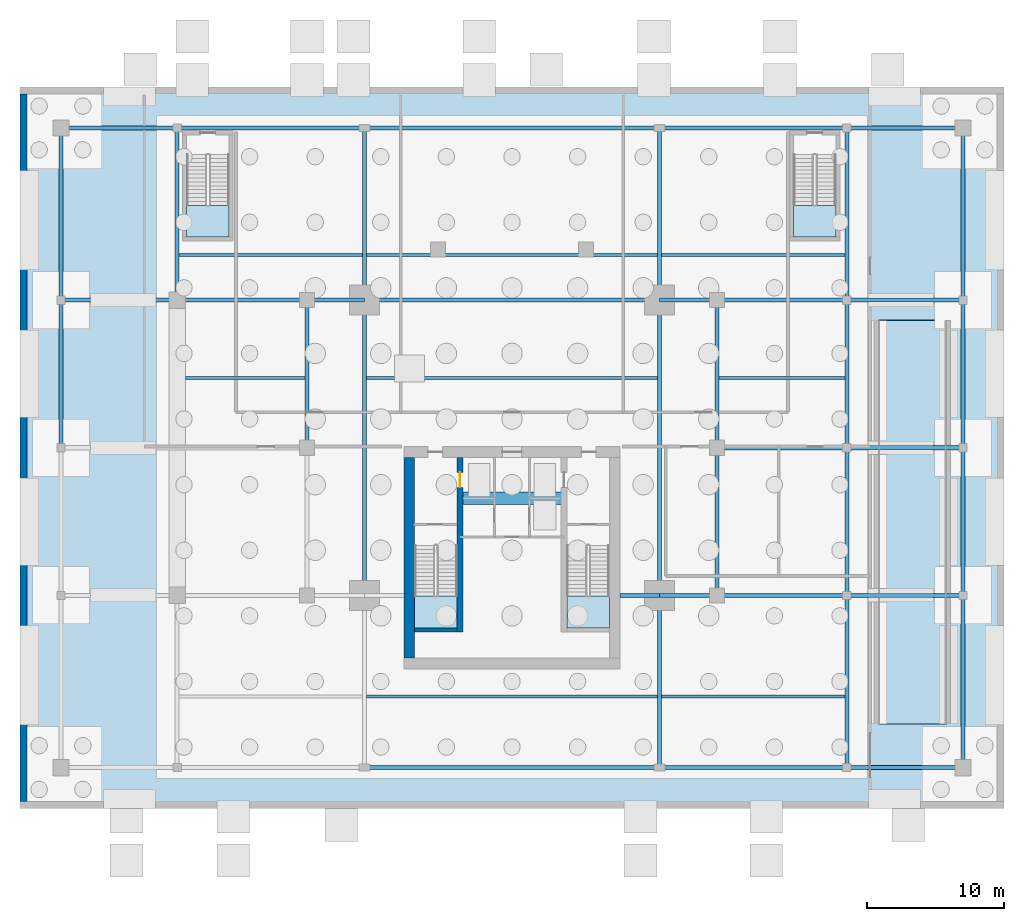
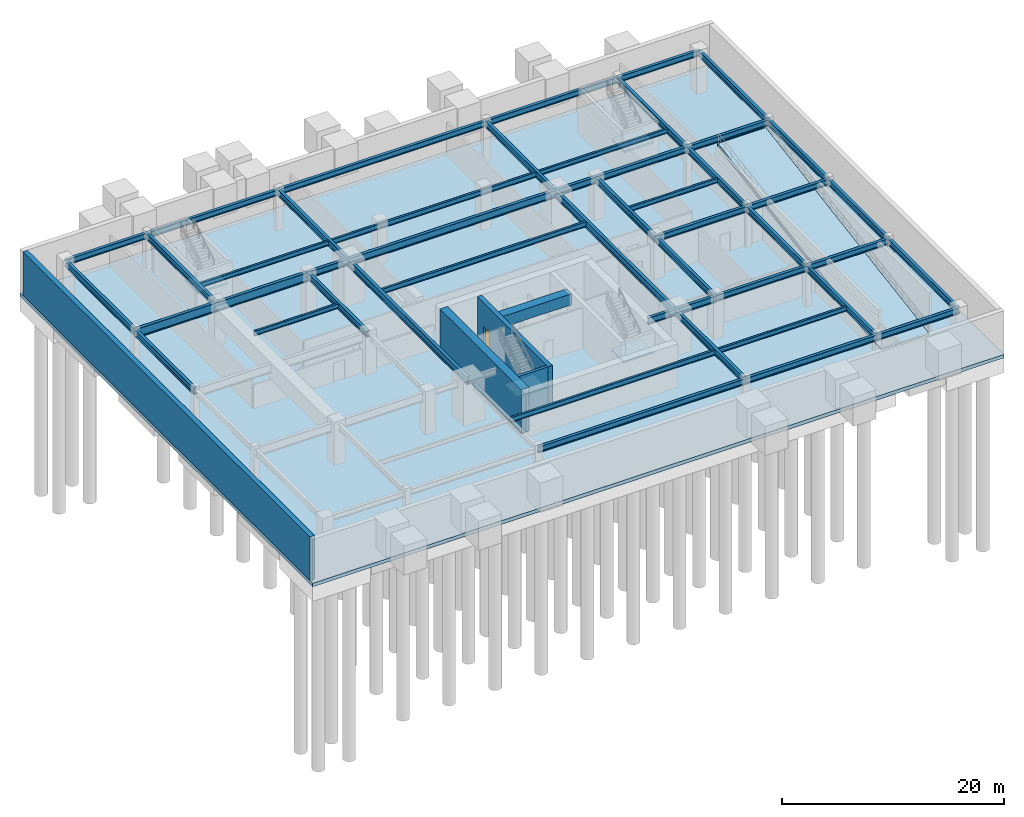
# One storey, part 3 of 9: 48 beams, 6 slabs, 4 walls, 1 door, 1 opening, 4 elements without a shape of their own.
"""IFC4 building model written with IfcOpenShell, lengths in metres."""

from ifc_helpers import new_model, si_unit, direction, frame, frame_2d, origin, origin_2d, place, context, subcontext, project, spatial, polyline, rectangle, i_section, outline, extrude, source, transform, mapped, material, layer, layer_set, material_profile, profile_set, type_object, type_shapes, element, fill, aggregate, save


model = new_model("IFC4")

# Units and contexts
model_context = context("Model", 3, precision=1e-05, world=origin(), true_north=direction((0.0, 1.0)))
body_context = subcontext(model_context, "Body", "Model", "MODEL_VIEW")
ifc_project = project(units=[si_unit("LENGTHUNIT", "METRE"), si_unit("AREAUNIT", "SQUARE_METRE"), si_unit("VOLUMEUNIT", "CUBIC_METRE"), si_unit("PLANEANGLEUNIT", "RADIAN"), si_unit("MASSUNIT", "GRAM", prefix="KILO")], contexts=[model_context])

# Site, building, storey
site_placement = place(None, origin())
site = spatial("IfcSite", under=ifc_project, at=site_placement, CompositionType="ELEMENT")
building_placement = place(site_placement, origin())
building = spatial("IfcBuilding", under=site, at=building_placement, Name="Krantzveldt Concourse Tower", CompositionType="ELEMENT")
storey_placement = place(building_placement, frame((0.0, 0.0, -4.800048828125)))
storey = spatial("IfcBuildingStorey", under=building, at=storey_placement, Name="B1", CompositionType="ELEMENT", Elevation=-4.800048828125)

# Beams
ifc_material_1 = material(Name="Concrete C50/60", Category="concrete")
ifc_material_profile_1 = material_profile(ifc_material_1, rectangle(XDim=0.89990234375, YDim=1.199951171875, at=origin_2d()), Name="Concrete C50/60", Category="concrete")
ifc_profile_set_1 = profile_set([ifc_material_profile_1], Name="Concrete C50/60 - RC-CB 900x1200")
beam_type_1 = type_object("IfcBeamType", Name="BM-CB-1200", PredefinedType="LINTEL", material=ifc_profile_set_1)
shared_shape_1 = source(origin(), body_context, "Body", "SweptSolid", [
    extrude(rectangle(XDim=0.89990234375, YDim=1.199951171875, at=origin_2d()), origin(), (0.0, 0.0, 1.0), 7.580078125),
])
type_shapes(beam_type_1, [shared_shape_1])
beam_1_placement = place(storey_placement, frame((32.2099609375, 23.0, 3.85009765625), z_axis=(1.0, 0.0, 0.0), x_axis=(0.0, 1.0, 0.0)))
element("IfcBeam", 1, at=beam_1_placement, inside=storey, type_object=beam_type_1, Name="CB-B1-01", PredefinedType="LINTEL", context=body_context, shape_type="MappedRepresentation", body=[
    mapped(shared_shape_1, transform((0.0, 0.0, 0.0), x_axis=(1.0, 0.0, 0.0), y_axis=(0.0, 1.0, 0.0), z_axis=(0.0, 0.0, 1.0), scale=1.0)),
])
ifc_material_2 = material(Name="Steel S355J2", Category="steel")
ifc_material_profile_2 = material_profile(ifc_material_2, i_section(OverallWidth=0.300048828125, OverallDepth=0.800048828125, WebThickness=0.017578125, FlangeThickness=0.032958984375, FilletRadius=0.030029296875, at=origin_2d()), Name="Steel S355J2", Category="steel")
ifc_profile_set_2 = profile_set([ifc_material_profile_2], Name="Steel S355J2 - HEB 800")
beam_type_2 = type_object("IfcBeamType", Name="BM-B-HEB800", PredefinedType="BEAM", material=ifc_profile_set_2)
shared_shape_2 = source(origin(), body_context, "Body", "SweptSolid", [
    extrude(i_section(OverallWidth=0.300048828125, OverallDepth=0.800048828125, WebThickness=0.017578125, FlangeThickness=0.032958984375, FilletRadius=0.030029296875, at=origin_2d()), origin(), (0.0, 0.0, 1.0), 21.60009765625),
])
type_shapes(beam_type_2, [shared_shape_2])
for number, where, z_axis, x_axis, name in (
    (2, (25.199951171875, 37.5, 4.050048828125), (1.0, 0.0, 0.0), (0.0, 1.0, 0.0), "B1 Podium Primary Girder BG-MN"),
    (3, (25.199951171875, 15.89990234375, 4.050048828125), (0.0, 1.0, 0.0), (-1.0, 0.0, 0.0), "B1 Podium Primary Girder BG-MW"),
    (4, (46.800048828125, 15.89990234375, 4.050048828125), (0.0, 1.0, 0.0), (-1.0, 0.0, 0.0), "B1 Podium Primary Girder BG-ME"),
):
    element("IfcBeam", number, at=place(storey_placement, frame(where, z_axis=z_axis, x_axis=x_axis)), inside=storey, type_object=beam_type_2, Name=name, PredefinedType="BEAM", context=body_context, shape_type="MappedRepresentation", body=[
        mapped(shared_shape_2, transform((0.0, 0.0, 0.0), x_axis=(1.0, 0.0, 0.0), y_axis=(0.0, 1.0, 0.0), z_axis=(0.0, 0.0, 1.0), scale=1.0)),
    ])
ifc_material_3 = material(Name="Steel S355JR", Category="steel")
ifc_material_profile_3 = material_profile(ifc_material_3, i_section(OverallWidth=0.300048828125, OverallDepth=0.68994140625, WebThickness=0.014404296875, FlangeThickness=0.027099609375, FilletRadius=0.027099609375, at=origin_2d()), Name="Steel S355JR", Category="steel")
ifc_profile_set_3 = profile_set([ifc_material_profile_3], Name="Steel S355JR - HEA 700")
beam_type_3 = type_object("IfcBeamType", Name="BM-B-HEA700", PredefinedType="BEAM", material=ifc_profile_set_3)
shared_shape_3 = source(origin(), body_context, "Body", "SweptSolid", [
    extrude(i_section(OverallWidth=0.300048828125, OverallDepth=0.68994140625, WebThickness=0.014404296875, FlangeThickness=0.027099609375, FilletRadius=0.027099609375, at=origin_2d()), origin(), (0.0, 0.0, 1.0), 10.800048828125),
])
for number, where, z_axis, x_axis, name in (
    (5, (21.0, 26.699951171875, 4.10498046875), (0.0, 1.0, 0.0), (-1.0, 0.0, 0.0), "B1 Podium Primary Girder BG-RW2"),
    (6, (51.0, 15.89990234375, 4.10498046875), (0.0, 1.0, 0.0), (-1.0, 0.0, 0.0), "B1 Podium Primary Girder BG-RE1"),
    (7, (51.0, 26.699951171875, 4.10498046875), (0.0, 1.0, 0.0), (-1.0, 0.0, 0.0), "B1 Podium Primary Girder BG-RE2"),
    (8, (60.5, 15.89990234375, 4.10498046875), (0.0, 1.0, 0.0), (-1.0, 0.0, 0.0), "B1 Podium Primary Girder BG-IE-2"),
    (9, (60.5, 26.699951171875, 4.10498046875), (0.0, 1.0, 0.0), (-1.0, 0.0, 0.0), "B1 Podium Primary Girder BG-IE-3"),
    (10, (3.0, 26.699951171875, 4.10498046875), (0.0, 1.0, 0.0), (-1.0, 0.0, 0.0), "B1 Podium Primary Girder BG-OW3"),
    (11, (69.0, 15.89990234375, 4.10498046875), (0.0, 1.0, 0.0), (-1.0, 0.0, 0.0), "B1 Podium Primary Girder BG-OE2"),
    (12, (69.0, 26.699951171875, 4.10498046875), (0.0, 1.0, 0.0), (-1.0, 0.0, 0.0), "B1 Podium Primary Girder BG-OE3"),
):
    element("IfcBeam", number, at=place(storey_placement, frame(where, z_axis=z_axis, x_axis=x_axis)), inside=storey, type_object=beam_type_3, Name=name, PredefinedType="BEAM", context=body_context, shape_type="MappedRepresentation", body=[
        mapped(shared_shape_3, transform((0.0, 0.0, 0.0), x_axis=(1.0, 0.0, 0.0), y_axis=(0.0, 1.0, 0.0), z_axis=(0.0, 0.0, 1.0), scale=1.0)),
    ])
ifc_material_profile_4 = material_profile(ifc_material_2, i_section(OverallWidth=0.300048828125, OverallDepth=0.699951171875, WebThickness=0.01708984375, FlangeThickness=0.031982421875, FilletRadius=0.027099609375, at=origin_2d()), Name="Steel S355J2", Category="steel")
ifc_profile_set_4 = profile_set([ifc_material_profile_4], Name="Steel S355J2 - HEB 700")
beam_type_4 = type_object("IfcBeamType", Name="BM-B-HEB700", PredefinedType="BEAM", material=ifc_profile_set_4)
shared_shape_4 = source(origin(), body_context, "Body", "SweptSolid", [
    extrude(i_section(OverallWidth=0.300048828125, OverallDepth=0.699951171875, WebThickness=0.01708984375, FlangeThickness=0.031982421875, FilletRadius=0.027099609375, at=origin_2d()), origin(), (0.0, 0.0, 1.0), 4.199951171875),
])
for number, where, z_axis, x_axis, name in (
    (13, (21.0, 37.5, 4.10009765625), (1.0, 0.0, 0.0), (0.0, 1.0, 0.0), "B1 Podium Primary Girder BG-RL3"),
    (14, (46.800048828125, 15.89990234375, 4.10009765625), (1.0, 0.0, 0.0), (0.0, 1.0, 0.0), "B1 Podium Primary Girder BG-RR1"),
    (15, (46.800048828125, 37.5, 4.10009765625), (1.0, 0.0, 0.0), (0.0, 1.0, 0.0), "B1 Podium Primary Girder BG-RR3"),
):
    element("IfcBeam", number, at=place(storey_placement, frame(where, z_axis=z_axis, x_axis=x_axis)), inside=storey, type_object=beam_type_4, Name=name, PredefinedType="BEAM", context=body_context, shape_type="MappedRepresentation", body=[
        mapped(shared_shape_4, transform((0.0, 0.0, 0.0), x_axis=(1.0, 0.0, 0.0), y_axis=(0.0, 1.0, 0.0), z_axis=(0.0, 0.0, 1.0), scale=1.0)),
    ])
shared_shape_5 = source(origin(), body_context, "Body", "SweptSolid", [
    extrude(i_section(OverallWidth=0.300048828125, OverallDepth=0.699951171875, WebThickness=0.01708984375, FlangeThickness=0.031982421875, FilletRadius=0.027099609375, at=origin_2d()), origin(), (0.0, 0.0, 1.0), 2.880126953125),
])
type_shapes(beam_type_4, [shared_shape_4, shared_shape_5])
beam_2_placement = place(storey_placement, frame((43.919921875, 15.89990234375, 4.10009765625), z_axis=(1.0, 0.0, 0.0), x_axis=(0.0, 1.0, 0.0)))
element("IfcBeam", 16, at=beam_2_placement, inside=storey, type_object=beam_type_4, Name="B1 Podium Primary Girder BG-CE", PredefinedType="BEAM", context=body_context, shape_type="MappedRepresentation", body=[
    mapped(shared_shape_5, transform((0.0, 0.0, 0.0), x_axis=(1.0, 0.0, 0.0), y_axis=(0.0, 1.0, 0.0), z_axis=(0.0, 0.0, 1.0), scale=1.0)),
])
shared_shape_6 = source(origin(), body_context, "Body", "SweptSolid", [
    extrude(i_section(OverallWidth=0.300048828125, OverallDepth=0.68994140625, WebThickness=0.014404296875, FlangeThickness=0.027099609375, FilletRadius=0.027099609375, at=origin_2d()), origin(), (0.0, 0.0, 1.0), 12.60009765625),
])
for number, where, z_axis, x_axis, name in (
    (17, (25.199951171875, 37.5, 4.10498046875), (0.0, 1.0, 0.0), (-1.0, 0.0, 0.0), "B1 Podium Primary Girder BG-PN1"),
    (18, (46.800048828125, 37.5, 4.10498046875), (0.0, 1.0, 0.0), (-1.0, 0.0, 0.0), "B1 Podium Primary Girder BG-PN2"),
    (19, (11.5, 37.5, 4.10498046875), (0.0, 1.0, 0.0), (-1.0, 0.0, 0.0), "B1 Podium Primary Girder BG-IW-3"),
    (20, (60.5, 37.5, 4.10498046875), (0.0, 1.0, 0.0), (-1.0, 0.0, 0.0), "B1 Podium Primary Girder BG-IE-4"),
    (21, (3.0, 37.5, 4.10498046875), (0.0, 1.0, 0.0), (-1.0, 0.0, 0.0), "B1 Podium Primary Girder BG-OW4"),
    (22, (69.0, 37.5, 4.10498046875), (0.0, 1.0, 0.0), (-1.0, 0.0, 0.0), "B1 Podium Primary Girder BG-OE4"),
):
    element("IfcBeam", number, at=place(storey_placement, frame(where, z_axis=z_axis, x_axis=x_axis)), inside=storey, type_object=beam_type_3, Name=name, PredefinedType="BEAM", context=body_context, shape_type="MappedRepresentation", body=[
        mapped(shared_shape_6, transform((0.0, 0.0, 0.0), x_axis=(1.0, 0.0, 0.0), y_axis=(0.0, 1.0, 0.0), z_axis=(0.0, 0.0, 1.0), scale=1.0)),
    ])
shared_shape_7 = source(origin(), body_context, "Body", "SweptSolid", [
    extrude(i_section(OverallWidth=0.300048828125, OverallDepth=0.68994140625, WebThickness=0.014404296875, FlangeThickness=0.027099609375, FilletRadius=0.027099609375, at=origin_2d()), origin(), (0.0, 0.0, 1.0), 12.599853515625),
])
type_shapes(beam_type_3, [shared_shape_3, shared_shape_6, shared_shape_7])
for number, where, z_axis, x_axis, name in (
    (23, (46.800048828125, 3.300048828125, 4.10498046875), (0.0, 1.0, 0.0), (-1.0, 0.0, 0.0), "B1 Podium Primary Girder BG-PS2"),
    (24, (60.5, 3.300048828125, 4.10498046875), (0.0, 1.0, 0.0), (-1.0, 0.0, 0.0), "B1 Podium Primary Girder BG-IE-1"),
    (25, (69.0, 3.300048828125, 4.10498046875), (0.0, 1.0, 0.0), (-1.0, 0.0, 0.0), "B1 Podium Primary Girder BG-OE1"),
):
    element("IfcBeam", number, at=place(storey_placement, frame(where, z_axis=z_axis, x_axis=x_axis)), inside=storey, type_object=beam_type_3, Name=name, PredefinedType="BEAM", context=body_context, shape_type="MappedRepresentation", body=[
        mapped(shared_shape_7, transform((0.0, 0.0, 0.0), x_axis=(1.0, 0.0, 0.0), y_axis=(0.0, 1.0, 0.0), z_axis=(0.0, 0.0, 1.0), scale=1.0)),
    ])
ifc_material_profile_5 = material_profile(ifc_material_3, i_section(OverallWidth=0.300048828125, OverallDepth=0.639892578125, WebThickness=0.013427734375, FlangeThickness=0.02587890625, FilletRadius=0.027099609375, at=origin_2d()), Name="Steel S355JR", Category="steel")
ifc_profile_set_5 = profile_set([ifc_material_profile_5], Name="Steel S355JR - HEA 650")
beam_type_5 = type_object("IfcBeamType", Name="BM-B-HEA650", PredefinedType="BEAM", material=ifc_profile_set_5)
shared_shape_8 = source(origin(), body_context, "Body", "SweptSolid", [
    extrude(i_section(OverallWidth=0.300048828125, OverallDepth=0.639892578125, WebThickness=0.013427734375, FlangeThickness=0.02587890625, FilletRadius=0.027099609375, at=origin_2d()), origin(), (0.0, 0.0, 1.0), 13.699951171875),
])
for number, where, z_axis, x_axis, name in (
    (26, (46.800048828125, 3.300048828125, 4.130126953125), (1.0, 0.0, 0.0), (0.0, 1.0, 0.0), "B1 Podium Primary Girder BG-SN3"),
    (27, (11.5, 50.10009765625, 4.130126953125), (1.0, 0.0, 0.0), (0.0, 1.0, 0.0), "B1 Podium Primary Girder BG-NN1"),
    (28, (46.800048828125, 50.10009765625, 4.130126953125), (1.0, 0.0, 0.0), (0.0, 1.0, 0.0), "B1 Podium Primary Girder BG-NN3"),
):
    element("IfcBeam", number, at=place(storey_placement, frame(where, z_axis=z_axis, x_axis=x_axis)), inside=storey, type_object=beam_type_5, Name=name, PredefinedType="BEAM", context=body_context, shape_type="MappedRepresentation", body=[
        mapped(shared_shape_8, transform((0.0, 0.0, 0.0), x_axis=(1.0, 0.0, 0.0), y_axis=(0.0, 1.0, 0.0), z_axis=(0.0, 0.0, 1.0), scale=1.0)),
    ])
shared_shape_9 = source(origin(), body_context, "Body", "SweptSolid", [
    extrude(i_section(OverallWidth=0.300048828125, OverallDepth=0.639892578125, WebThickness=0.013427734375, FlangeThickness=0.02587890625, FilletRadius=0.027099609375, at=origin_2d()), origin(), (0.0, 0.0, 1.0), 21.60009765625),
])
for number, where, z_axis, x_axis, name in (
    (29, (25.199951171875, 3.300048828125, 4.130126953125), (1.0, 0.0, 0.0), (0.0, 1.0, 0.0), "B1 Podium Primary Girder BG-SN2"),
    (30, (25.199951171875, 50.10009765625, 4.130126953125), (1.0, 0.0, 0.0), (0.0, 1.0, 0.0), "B1 Podium Primary Girder BG-NN2"),
):
    element("IfcBeam", number, at=place(storey_placement, frame(where, z_axis=z_axis, x_axis=x_axis)), inside=storey, type_object=beam_type_5, Name=name, PredefinedType="BEAM", context=body_context, shape_type="MappedRepresentation", body=[
        mapped(shared_shape_9, transform((0.0, 0.0, 0.0), x_axis=(1.0, 0.0, 0.0), y_axis=(0.0, 1.0, 0.0), z_axis=(0.0, 0.0, 1.0), scale=1.0)),
    ])
shared_shape_10 = source(origin(), body_context, "Body", "SweptSolid", [
    extrude(i_section(OverallWidth=0.300048828125, OverallDepth=0.639892578125, WebThickness=0.013427734375, FlangeThickness=0.02587890625, FilletRadius=0.027099609375, at=origin_2d()), origin(), (0.0, 0.0, 1.0), 9.5),
])
for number, where, z_axis, x_axis, name in (
    (31, (51.0, 15.89990234375, 4.130126953125), (1.0, 0.0, 0.0), (0.0, 1.0, 0.0), "B1 Podium Primary Girder BG-ME1"),
    (32, (51.0, 26.699951171875, 4.130126953125), (1.0, 0.0, 0.0), (0.0, 1.0, 0.0), "B1 Podium Primary Girder BG-ME2"),
    (33, (51.0, 37.5, 4.130126953125), (1.0, 0.0, 0.0), (0.0, 1.0, 0.0), "B1 Podium Primary Girder BG-ME3"),
):
    element("IfcBeam", number, at=place(storey_placement, frame(where, z_axis=z_axis, x_axis=x_axis)), inside=storey, type_object=beam_type_5, Name=name, PredefinedType="BEAM", context=body_context, shape_type="MappedRepresentation", body=[
        mapped(shared_shape_10, transform((0.0, 0.0, 0.0), x_axis=(1.0, 0.0, 0.0), y_axis=(0.0, 1.0, 0.0), z_axis=(0.0, 0.0, 1.0), scale=1.0)),
    ])
shared_shape_11 = source(origin(), body_context, "Body", "SweptSolid", [
    extrude(i_section(OverallWidth=0.300048828125, OverallDepth=0.639892578125, WebThickness=0.013427734375, FlangeThickness=0.02587890625, FilletRadius=0.027099609375, at=origin_2d()), origin(), (0.0, 0.0, 1.0), 8.5),
])
type_shapes(beam_type_5, [shared_shape_8, shared_shape_9, shared_shape_10, shared_shape_11])
for number, where, z_axis, x_axis, name in (
    (34, (3.0, 50.10009765625, 4.130126953125), (1.0, 0.0, 0.0), (0.0, 1.0, 0.0), "B1 Podium Primary Girder BG-OWN"),
    (35, (60.5, 3.300048828125, 4.130126953125), (1.0, 0.0, 0.0), (0.0, 1.0, 0.0), "B1 Podium Primary Girder BG-OES"),
    (36, (60.5, 50.10009765625, 4.130126953125), (1.0, 0.0, 0.0), (0.0, 1.0, 0.0), "B1 Podium Primary Girder BG-OEN"),
    (37, (60.5, 15.89990234375, 4.130126953125), (1.0, 0.0, 0.0), (0.0, 1.0, 0.0), "B1 Podium Primary Girder BG-EE1"),
    (38, (60.5, 26.699951171875, 4.130126953125), (1.0, 0.0, 0.0), (0.0, 1.0, 0.0), "B1 Podium Primary Girder BG-EE2"),
    (39, (60.5, 37.5, 4.130126953125), (1.0, 0.0, 0.0), (0.0, 1.0, 0.0), "B1 Podium Primary Girder BG-EE3"),
):
    element("IfcBeam", number, at=place(storey_placement, frame(where, z_axis=z_axis, x_axis=x_axis)), inside=storey, type_object=beam_type_5, Name=name, PredefinedType="BEAM", context=body_context, shape_type="MappedRepresentation", body=[
        mapped(shared_shape_11, transform((0.0, 0.0, 0.0), x_axis=(1.0, 0.0, 0.0), y_axis=(0.0, 1.0, 0.0), z_axis=(0.0, 0.0, 1.0), scale=1.0)),
    ])
ifc_material_profile_6 = material_profile(ifc_material_2, i_section(OverallWidth=0.300048828125, OverallDepth=1.0, WebThickness=0.01904296875, FlangeThickness=0.035888671875, FilletRadius=0.030029296875, at=origin_2d()), Name="Steel S355J2", Category="steel")
ifc_profile_set_6 = profile_set([ifc_material_profile_6], Name="Steel S355J2 - HEB 1000")
beam_type_6 = type_object("IfcBeamType", Name="BM-B-HEB1000", PredefinedType="BEAM", material=ifc_profile_set_6)
shared_shape_12 = source(origin(), body_context, "Body", "SweptSolid", [
    extrude(i_section(OverallWidth=0.300048828125, OverallDepth=1.0, WebThickness=0.01904296875, FlangeThickness=0.035888671875, FilletRadius=0.030029296875, at=origin_2d()), origin(), (0.0, 0.0, 1.0), 18.0),
])
type_shapes(beam_type_6, [shared_shape_12])
beam_3_placement = place(storey_placement, frame((3.0, 37.5, 3.949951171875), z_axis=(1.0, 0.0, 0.0), x_axis=(0.0, 1.0, 0.0)))
element("IfcBeam", 40, at=beam_3_placement, inside=storey, type_object=beam_type_6, Name="B1 Podium Primary Girder BG-AUD-3", PredefinedType="BEAM", context=body_context, shape_type="MappedRepresentation", body=[
    mapped(shared_shape_12, transform((0.0, 0.0, 0.0), x_axis=(1.0, 0.0, 0.0), y_axis=(0.0, 1.0, 0.0), z_axis=(0.0, 0.0, 1.0), scale=1.0)),
])
ifc_material_profile_7 = material_profile(ifc_material_3, i_section(OverallWidth=0.2099609375, OverallDepth=0.550048828125, WebThickness=0.010986328125, FlangeThickness=0.01708984375, FilletRadius=0.02392578125, at=origin_2d()), Name="Steel S355JR", Category="steel")
ifc_profile_set_7 = profile_set([ifc_material_profile_7], Name="Steel S355JR - IPE 550")
beam_type_7 = type_object("IfcBeamType", Name="BM-J-IPE550", PredefinedType="JOIST", material=ifc_profile_set_7)
shared_shape_13 = source(origin(), body_context, "Body", "SweptSolid", [
    extrude(i_section(OverallWidth=0.2099609375, OverallDepth=0.550048828125, WebThickness=0.010986328125, FlangeThickness=0.01708984375, FilletRadius=0.02392578125, at=origin_2d()), origin(), (0.0, 0.0, 1.0), 21.2998046875),
])
type_shapes(beam_type_7, [shared_shape_13])
for number, where, z_axis, x_axis, name in (
    (41, (25.35009765625, 8.5, 4.175048828125), (1.0, 0.0, 0.0), (0.0, 1.0, 0.0), "B1 Central Floor Joist 1"),
    (42, (25.35009765625, 31.800048828125, 4.175048828125), (1.0, 0.0, 0.0), (0.0, 1.0, 0.0), "B1 Central Floor Joist 2"),
    (43, (25.35009765625, 40.800048828125, 4.175048828125), (1.0, 0.0, 0.0), (0.0, 1.0, 0.0), "B1 Central Floor Joist 3"),
):
    element("IfcBeam", number, at=place(storey_placement, frame(where, z_axis=z_axis, x_axis=x_axis)), inside=storey, type_object=beam_type_7, Name=name, PredefinedType="JOIST", context=body_context, shape_type="MappedRepresentation", body=[
        mapped(shared_shape_13, transform((0.0, 0.0, 0.0), x_axis=(1.0, 0.0, 0.0), y_axis=(0.0, 1.0, 0.0), z_axis=(0.0, 0.0, 1.0), scale=1.0)),
    ])
ifc_material_profile_8 = material_profile(ifc_material_3, i_section(OverallWidth=0.199951171875, OverallDepth=0.5, WebThickness=0.01025390625, FlangeThickness=0.01611328125, FilletRadius=0.02099609375, at=origin_2d()), Name="Steel S355JR", Category="steel")
ifc_profile_set_8 = profile_set([ifc_material_profile_8], Name="Steel S355JR - IPE 500")
beam_type_8 = type_object("IfcBeamType", Name="BM-J-IPE500", PredefinedType="JOIST", material=ifc_profile_set_8)
shared_shape_14 = source(origin(), body_context, "Body", "SweptSolid", [
    extrude(i_section(OverallWidth=0.199951171875, OverallDepth=0.5, WebThickness=0.01025390625, FlangeThickness=0.01611328125, FilletRadius=0.02099609375, at=origin_2d()), origin(), (0.0, 0.0, 1.0), 13.400146484375),
])
for number, where, z_axis, x_axis, name in (
    (44, (46.949951171875, 8.5, 4.199951171875), (1.0, 0.0, 0.0), (0.0, 1.0, 0.0), "B1 East Inner Joist 1"),
    (45, (11.64990234375, 40.800048828125, 4.199951171875), (1.0, 0.0, 0.0), (0.0, 1.0, 0.0), "B1 West Inner Joist 3"),
    (46, (46.949951171875, 40.800048828125, 4.199951171875), (1.0, 0.0, 0.0), (0.0, 1.0, 0.0), "B1 East Inner Joist 3"),
):
    element("IfcBeam", number, at=place(storey_placement, frame(where, z_axis=z_axis, x_axis=x_axis)), inside=storey, type_object=beam_type_8, Name=name, PredefinedType="JOIST", context=body_context, shape_type="MappedRepresentation", body=[
        mapped(shared_shape_14, transform((0.0, 0.0, 0.0), x_axis=(1.0, 0.0, 0.0), y_axis=(0.0, 1.0, 0.0), z_axis=(0.0, 0.0, 1.0), scale=1.0)),
    ])
shared_shape_15 = source(origin(), body_context, "Body", "SweptSolid", [
    extrude(i_section(OverallWidth=0.199951171875, OverallDepth=0.5, WebThickness=0.01025390625, FlangeThickness=0.01611328125, FilletRadius=0.02099609375, at=origin_2d()), origin(), (0.0, 0.0, 1.0), 8.75),
])
beam_4_placement = place(storey_placement, frame((12.10009765625, 31.800048828125, 4.199951171875), z_axis=(1.0, 0.0, 0.0), x_axis=(0.0, 1.0, 0.0)))
element("IfcBeam", 47, at=beam_4_placement, inside=storey, type_object=beam_type_8, Name="B1 West Inner Joist 2", PredefinedType="JOIST", context=body_context, shape_type="MappedRepresentation", body=[
    mapped(shared_shape_15, transform((0.0, 0.0, 0.0), x_axis=(1.0, 0.0, 0.0), y_axis=(0.0, 1.0, 0.0), z_axis=(0.0, 0.0, 1.0), scale=1.0)),
])
shared_shape_16 = source(origin(), body_context, "Body", "SweptSolid", [
    extrude(i_section(OverallWidth=0.199951171875, OverallDepth=0.5, WebThickness=0.01025390625, FlangeThickness=0.01611328125, FilletRadius=0.02099609375, at=origin_2d()), origin(), (0.0, 0.0, 1.0), 9.2001953125),
])
type_shapes(beam_type_8, [shared_shape_14, shared_shape_15, shared_shape_16])
beam_5_placement = place(storey_placement, frame((51.14990234375, 31.800048828125, 4.199951171875), z_axis=(1.0, 0.0, 0.0), x_axis=(0.0, 1.0, 0.0)))
element("IfcBeam", 48, at=beam_5_placement, inside=storey, type_object=beam_type_8, Name="B1 East Inner Joist 2", PredefinedType="JOIST", context=body_context, shape_type="MappedRepresentation", body=[
    mapped(shared_shape_16, transform((0.0, 0.0, 0.0), x_axis=(1.0, 0.0, 0.0), y_axis=(0.0, 1.0, 0.0), z_axis=(0.0, 0.0, 1.0), scale=1.0)),
])

# Stair, slab
ifc_material_4 = material(Name="Precast concrete C40/50", Category="concrete")
stair_type = type_object("IfcStairType", Name="STR-CORE-DOGLEG", PredefinedType="HALF_TURN_STAIR", material=ifc_material_4)
stair_1_placement = place(storey_placement, origin())
stair_1 = element("IfcStair", 49, at=stair_1_placement, inside=storey, type_object=stair_type, Name="B1 Protected Escape Stair ST-1", PredefinedType="HALF_TURN_STAIR")
ifc_layer_1 = layer(ifc_material_4, 0.199951171875, Name="Precast concrete C40/50", Category="concrete")
ifc_layer_set_1 = layer_set([ifc_layer_1], Name="Precast concrete C40/50 (SL-LANDING-200)")
slab_type_1 = type_object("IfcSlabType", Name="SL-LANDING-200", PredefinedType="LANDING", material=ifc_layer_set_1)
slab_1_placement = place(storey_placement, frame((0.0, 0.0, 2.199951171875)))
slab_1 = element("IfcSlab", 50, at=slab_1_placement, type_object=slab_type_1, Name="ST-1 landing 1", PredefinedType="LANDING", context=body_context, shape_type="SweptSolid", body=[
    extrude(outline(polyline([(28.8798828125, 15.844970703125), (28.8798828125, 13.52001953125), (31.97998046875, 13.52001953125), (31.97998046875, 15.844970703125), (28.8798828125, 15.844970703125)])), origin(), (0.0, 0.0, 1.0), 0.2001953125),
])
aggregate(stair_1, [slab_1])

stair_2_placement = place(storey_placement, origin())
stair_2 = element("IfcStair", 51, at=stair_2_placement, inside=storey, type_object=stair_type, Name="B1 Protected Escape Stair ST-2", PredefinedType="HALF_TURN_STAIR")
slab_2_placement = place(storey_placement, frame((0.0, 0.0, 2.199951171875)))
slab_2 = element("IfcSlab", 52, at=slab_2_placement, type_object=slab_type_1, Name="ST-2 landing 1", PredefinedType="LANDING", context=body_context, shape_type="SweptSolid", body=[
    extrude(outline(polyline([(40.02001953125, 15.844970703125), (40.02001953125, 13.52001953125), (43.1201171875, 13.52001953125), (43.1201171875, 15.844970703125), (40.02001953125, 15.844970703125)])), origin(), (0.0, 0.0, 1.0), 0.2001953125),
])
aggregate(stair_2, [slab_2])

stair_3_placement = place(storey_placement, origin())
stair_3 = element("IfcStair", 53, at=stair_3_placement, inside=storey, type_object=stair_type, Name="B1 Podium Escape Stair ST-3", PredefinedType="HALF_TURN_STAIR")
slab_3_placement = place(storey_placement, frame((0.0, 0.0, 2.199951171875)))
slab_3 = element("IfcSlab", 54, at=slab_3_placement, type_object=slab_type_1, Name="ST-3 landing 1", PredefinedType="LANDING", context=body_context, shape_type="SweptSolid", body=[
    extrude(outline(polyline([(12.199951171875, 44.445068359375), (12.199951171875, 42.1201171875), (15.300048828125, 42.1201171875), (15.300048828125, 44.445068359375), (12.199951171875, 44.445068359375)])), origin(), (0.0, 0.0, 1.0), 0.2001953125),
])
aggregate(stair_3, [slab_3])

stair_4_placement = place(storey_placement, origin())
stair_4 = element("IfcStair", 55, at=stair_4_placement, inside=storey, type_object=stair_type, Name="B1 Podium Escape Stair ST-4", PredefinedType="HALF_TURN_STAIR")
slab_4_placement = place(storey_placement, frame((0.0, 0.0, 2.199951171875)))
slab_4 = element("IfcSlab", 56, at=slab_4_placement, type_object=slab_type_1, Name="ST-4 landing 1", PredefinedType="LANDING", context=body_context, shape_type="SweptSolid", body=[
    extrude(outline(polyline([(56.60009765625, 44.445068359375), (56.60009765625, 42.1201171875), (59.699951171875, 42.1201171875), (59.699951171875, 44.445068359375), (56.60009765625, 44.445068359375)])), origin(), (0.0, 0.0, 1.0), 0.2001953125),
])
aggregate(stair_4, [slab_4])

# Slabs
ifc_layer_2 = layer(ifc_material_1, 0.39990234375, Name="Concrete C50/60", Category="concrete")
ifc_layer_set_2 = layer_set([ifc_layer_2], Name="Concrete C50/60 (SL-SL-BASE400)")
slab_type_2 = type_object("IfcSlabType", Name="SL-SL-BASE400", PredefinedType="BASESLAB", material=ifc_layer_set_2)
slab_5_placement = place(storey_placement, frame((0.0, 0.0, -0.39990234375)))
element("IfcSlab", 57, at=slab_5_placement, inside=storey, type_object=slab_type_2, Name="SL-B1-BASE", PredefinedType="BASESLAB", context=body_context, shape_type="SweptSolid", body=[
    extrude(outline(polyline([(0.0, 0.300048828125), (72.0, 0.300048828125), (72.0, 53.10009765625), (0.0, 53.10009765625), (0.0, 0.300048828125)]), holes=[polyline([(62.780029296875, 6.47998046875), (67.820068359375, 6.47998046875), (67.820068359375, 8.85009765625), (62.780029296875, 8.85009765625), (62.780029296875, 6.47998046875)])]), origin(), (0.0, 0.0, 1.0), 0.39990234375),
])
ifc_material_5 = material(Name="Concrete C40/50", Category="concrete")
ifc_layer_3 = layer(ifc_material_5, 0.35009765625, Name="Concrete C40/50", Category="concrete")
ifc_layer_set_3 = layer_set([ifc_layer_3], Name="Concrete C40/50 (SL-VRAMP-350)")
slab_type_3 = type_object("IfcSlabType", Name="SL-VRAMP-350", PredefinedType="BASESLAB", material=ifc_layer_set_3)
slab_6_placement = place(storey_placement, frame((62.800048828125, 6.5, 0.0), z_axis=(0.0, -0.160601391988, 0.98701934778), x_axis=(1.0, 0.0, 0.0)))
element("IfcSlab", 58, at=slab_6_placement, inside=storey, type_object=slab_type_3, Name="Basement Vehicle Ramp Slab SL-B1-VRAMP", PredefinedType="BASESLAB", context=body_context, shape_type="SweptSolid", body=[
    extrude(outline(polyline([(0.0, 0.0), (5.0, 0.0), (5.0, 29.887965282909175), (0.0, 29.887965282909175), (0.0, 0.0)])), origin(), (0.0, 0.0, -1.0), 0.35009765625),
])

# Walls
ifc_layer_4 = layer(ifc_material_1, 0.5, Name="Concrete C50/60", Category="concrete")
ifc_layer_set_4 = layer_set([ifc_layer_4], Name="Concrete C50/60 (WL-RET-500)")
wall_type_1 = type_object("IfcWallType", Name="WL-RET-500", PredefinedType="SOLIDWALL", material=ifc_layer_set_4)
wall_1_placement = place(storey_placement, frame((0.25, 0.800048828125, 0.0), z_axis=(0.0, 0.0, 1.0), x_axis=(0.0, 1.0, 0.0)))
element("IfcWall", 59, at=wall_1_placement, inside=storey, type_object=wall_type_1, Name="RW-B1-W", PredefinedType="SOLIDWALL", context=body_context, shape_type="SweptSolid", body=[
    extrude(rectangle(XDim=51.800048828125, YDim=0.5, at=frame_2d((25.89990234375, 0.0))), origin(), (0.0, 0.0, 1.0), 4.800048828125),
])
ifc_layer_5 = layer(ifc_material_1, 0.300048828125, Name="Concrete C50/60", Category="concrete")
ifc_layer_set_5 = layer_set([ifc_layer_5], Name="Concrete C50/60 (WL-SHEAR-300)")
wall_type_2 = type_object("IfcWallType", Name="WL-SHEAR-300", PredefinedType="SHEAR", material=ifc_layer_set_5)
wall_2_placement = place(storey_placement, frame((28.8798828125, 13.3701171875, 0.0), z_axis=(0.0, 0.0, 1.0), x_axis=(1.0, 0.0, 0.0)))
element("IfcWall", 60, at=wall_2_placement, inside=storey, type_object=wall_type_2, Name="CW-B1-ST1S", PredefinedType="SHEAR", context=body_context, shape_type="SweptSolid", body=[
    extrude(rectangle(XDim=3.10009765625, YDim=0.300048828125, at=frame_2d((1.550048828125, 0.0))), origin(), (0.0, 0.0, 1.0), 4.800048828125),
])

# Wall, opening, door
ifc_layer_6 = layer(ifc_material_1, 0.449951171875, Name="Concrete C50/60", Category="concrete")
ifc_layer_set_6 = layer_set([ifc_layer_6], Name="Concrete C50/60 (WL-SHEAR-450)")
wall_type_3 = type_object("IfcWallType", Name="WL-SHEAR-450", PredefinedType="SHEAR", material=ifc_layer_set_6)
wall_3_placement = place(storey_placement, frame((32.205078125, 13.219970703125, 0.0), z_axis=(0.0, 0.0, 1.0), x_axis=(0.0, 1.0, 0.0)))
wall_3 = element("IfcWall", 61, at=wall_3_placement, inside=storey, type_object=wall_type_3, Name="CW-B1-IW", PredefinedType="SHEAR", context=body_context, shape_type="SweptSolid", body=[
    extrude(rectangle(XDim=12.780029296875, YDim=0.449951171875, at=frame_2d((6.39013671875, 0.0))), origin(), (0.0, 0.0, 1.0), 4.800048828125),
])
opening_placement = place(wall_3_placement, frame((10.580078125, 0.0, 0.0)))
opening = element("IfcOpeningElement", 62, at=opening_placement, cuts=wall_3, Name="Opening LD", PredefinedType="OPENING", context=body_context, shape_type="SweptSolid", body=[
    extrude(rectangle(XDim=1.10009765625, YDim=2.14990234375, at=frame_2d((0.550048828125, 1.074951171875))), frame((0.0, 0.23486328125, 0.0), z_axis=(0.0, -1.0, 0.0), x_axis=(1.0, 0.0, 0.0)), (0.0, 0.0, 1.0), 0.469970703125),
])
ifc_material_6 = material(Name="Stainless steel 316L", Category="steel")
door_type = type_object("IfcDoorType", Name="DR-SLIDE-LD1100", OperationType="DOUBLE_DOOR_SLIDING", PredefinedType="DOOR", material=ifc_material_6)
door_placement = place(opening_placement, origin())
door = element("IfcDoor", 63, at=door_placement, inside=storey, type_object=door_type, Name="LD-B1-FL1", OperationType="DOUBLE_DOOR_SLIDING", OverallHeight=2.14990234375, OverallWidth=1.10009765625, PredefinedType="DOOR", context=body_context, shape_type="SweptSolid", body=[
    extrude(rectangle(XDim=1.10009765625, YDim=2.14990234375, at=frame_2d((0.550048828125, 1.074951171875))), frame((0.0, 0.02490234375, 0.0), z_axis=(0.0, -1.0, 0.0), x_axis=(1.0, 0.0, 0.0)), (0.0, 0.0, 1.0), 0.050048828125),
])
fill(opening, door)

# Wall
ifc_material_7 = material(Name="Concrete C60/75", Category="concrete")
ifc_layer_7 = layer(ifc_material_7, 0.800048828125, Name="Concrete C60/75", Category="concrete")
ifc_layer_set_7 = layer_set([ifc_layer_7], Name="Concrete C60/75 (WL-SHEAR-800)")
wall_type_4 = type_object("IfcWallType", Name="WL-SHEAR-800", PredefinedType="SHEAR", material=ifc_layer_set_7)
wall_4_placement = place(storey_placement, frame((28.47998046875, 11.300048828125, 0.0), z_axis=(0.0, 0.0, 1.0), x_axis=(0.0, 1.0, 0.0)))
element("IfcWall", 64, at=wall_4_placement, inside=storey, type_object=wall_type_4, Name="CW-B1-W", PredefinedType="SHEAR", context=body_context, shape_type="SweptSolid", body=[
    extrude(rectangle(XDim=14.699951171875, YDim=0.800048828125, at=frame_2d((7.35009765625, 0.0))), origin(), (0.0, 0.0, 1.0), 4.800048828125),
])

save(model, "model.ifc")
